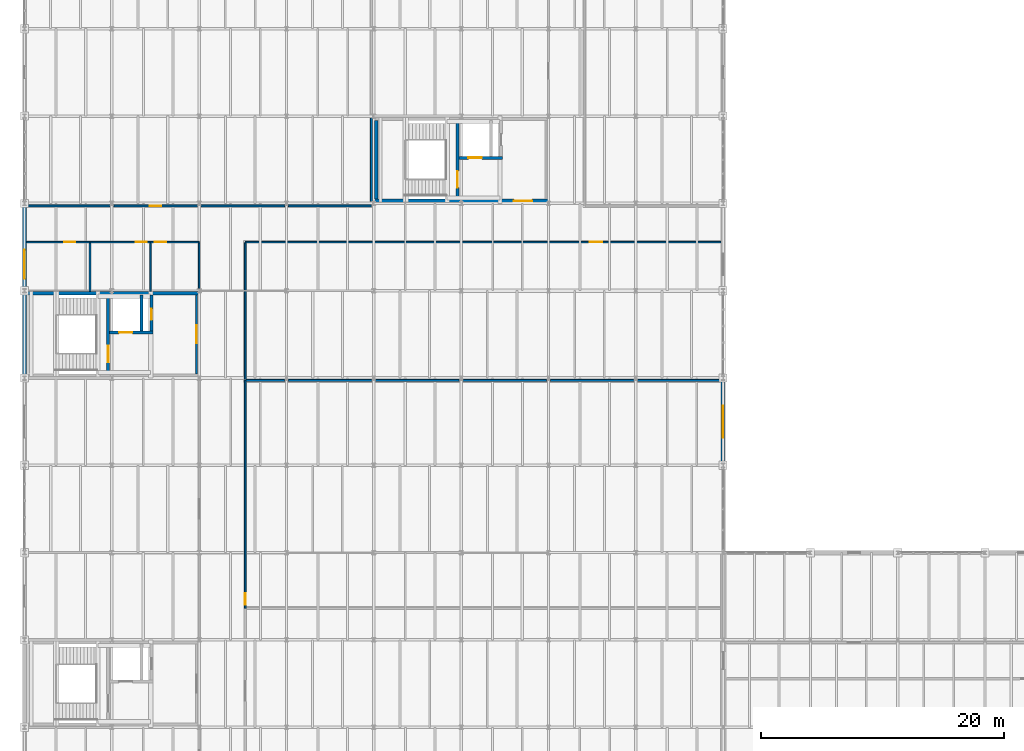
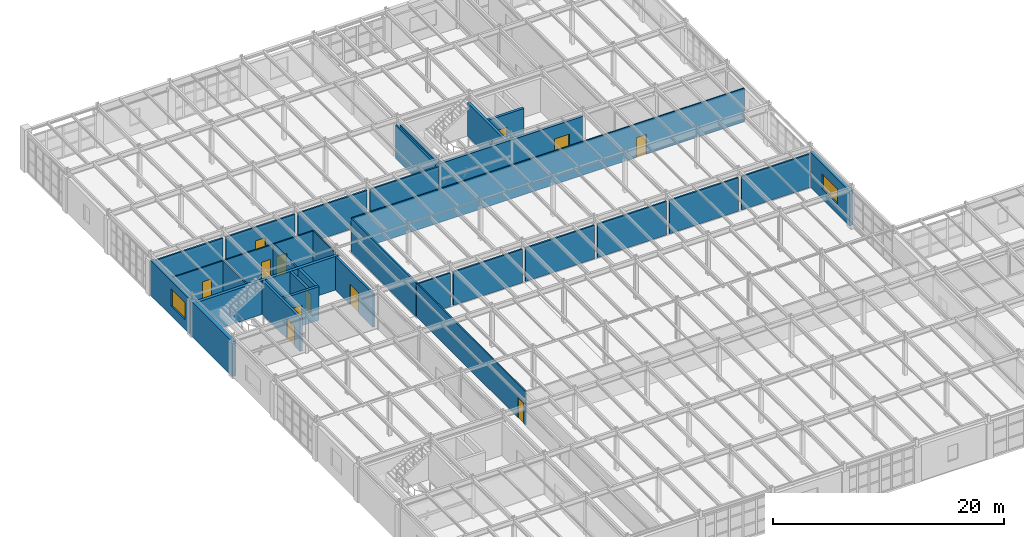
# One storey, part 123 of 137: 33 walls, 13 doors, 2 windows, 15 openings.
"""IFC4 building model written with IfcOpenShell, lengths in metres."""

from ifc_helpers import new_model, si_unit, direction, frame, frame_2d, origin, place, context, subcontext, project, spatial, rectangle, extrude, material, layer, layer_set, type_object, element, fill, save


model = new_model("IFC4")

# Units and contexts
model_context = context("Model", 3, precision=1e-05, world=origin(), true_north=direction((0.0, 1.0)))
body_context = subcontext(model_context, "Body", "Model", "MODEL_VIEW")
ifc_project = project(units=[si_unit("LENGTHUNIT", "METRE"), si_unit("AREAUNIT", "SQUARE_METRE"), si_unit("VOLUMEUNIT", "CUBIC_METRE"), si_unit("PLANEANGLEUNIT", "RADIAN"), si_unit("MASSUNIT", "GRAM", prefix="KILO")], contexts=[model_context])

# Site, building, storey
site_placement = place(None, origin())
site = spatial("IfcSite", under=ifc_project, at=site_placement, CompositionType="ELEMENT")
building_placement = place(site_placement, origin())
building = spatial("IfcBuilding", under=site, at=building_placement, Name="Kemerveld Promenade Tramway Depot", CompositionType="ELEMENT")
storey_placement = place(building_placement, frame((0.0, 0.0, 5.39990234375)))
storey = spatial("IfcBuildingStorey", under=building, at=storey_placement, Name="L01", CompositionType="ELEMENT", Elevation=5.39990234375)

# Wall, opening, door
ifc_material_1 = material(Name="Concrete C40/50", Category="concrete")
ifc_layer_1 = layer(ifc_material_1, 0.25)
ifc_layer_set_1 = layer_set([ifc_layer_1], Name="WL-CORE-250")
wall_type_1 = type_object("IfcWallType", Name="WL-CORE-250", PredefinedType="SHEAR", material=ifc_layer_set_1)
wall_1_placement = place(storey_placement, frame((6.89990234375, 43.550048828125, 0.0), z_axis=(0.0, 0.0, 1.0), x_axis=(0.0, 1.0, 0.0)))
wall_1 = element("IfcWall", 1, at=wall_1_placement, inside=storey, type_object=wall_type_1, Name="WL-C2-L01-SDIV", PredefinedType="SHEAR", context=body_context, shape_type="SweptSolid", body=[
    extrude(rectangle(XDim=6.5, YDim=0.25, at=frame_2d((3.25, 0.0))), origin(), (0.0, 0.0, 1.0), 3.550048828125),
])
opening_1_placement = place(wall_1_placement, frame((0.949951171875, 0.0, 0.0)))
opening_1 = element("IfcOpeningElement", 2, at=opening_1_placement, cuts=wall_1, Name="Opening D-525", PredefinedType="OPENING", context=body_context, shape_type="SweptSolid", body=[
    extrude(rectangle(XDim=1.35009765625, YDim=2.14990234375, at=frame_2d((0.675048828125, 1.074951171875))), frame((0.0, 0.135009765625, 0.0), z_axis=(0.0, -1.0, 0.0), x_axis=(1.0, 0.0, 0.0)), (0.0, 0.0, 1.0), 0.27001953125),
])
ifc_material_2 = material(Name="Galvanised steel fire stair door", Category="steel")
door_type_1 = type_object("IfcDoorType", Name="DR-FD120", OperationType="NOTDEFINED", PredefinedType="DOOR", material=ifc_material_2)
door_1_placement = place(opening_1_placement, origin())
door_1 = element("IfcDoor", 3, at=door_1_placement, inside=storey, type_object=door_type_1, Name="DR-C2-L01-STAIR", OperationType="SINGLE_SWING_RIGHT", OverallHeight=2.14990234375, OverallWidth=1.35009765625, PredefinedType="DOOR", context=body_context, shape_type="SweptSolid", body=[
    extrude(rectangle(XDim=1.35009765625, YDim=2.14990234375, at=frame_2d((0.675048828125, 1.074951171875))), frame((0.0, 0.02490234375, 0.0), z_axis=(0.0, -1.0, 0.0), x_axis=(1.0, 0.0, 0.0)), (0.0, 0.0, 1.0), 0.050048828125),
])
fill(opening_1, door_1)

wall_2_placement = place(storey_placement, frame((7.02490234375, 46.9599609375, 0.0), z_axis=(0.0, 0.0, 1.0), x_axis=(1.0, 0.0, 0.0)))
wall_2 = element("IfcWall", 4, at=wall_2_placement, inside=storey, type_object=wall_type_1, Name="WL-C2-L01-LSHS", PredefinedType="SHEAR", context=body_context, shape_type="SweptSolid", body=[
    extrude(rectangle(XDim=3.580078125, YDim=0.25, at=frame_2d((1.7900390625, 0.0))), origin(), (0.0, 0.0, 1.0), 3.550048828125),
])
opening_2_placement = place(wall_2_placement, frame((0.77490234375, 0.0, 0.0)))
opening_2 = element("IfcOpeningElement", 5, at=opening_2_placement, cuts=wall_2, Name="Opening LD-526", PredefinedType="OPENING", context=body_context, shape_type="SweptSolid", body=[
    extrude(rectangle(XDim=1.10009765625, YDim=2.14990234375, at=frame_2d((0.550048828125, 1.074951171875))), frame((0.0, 0.135009765625, 0.0), z_axis=(0.0, -1.0, 0.0), x_axis=(1.0, 0.0, 0.0)), (0.0, 0.0, 1.0), 0.27001953125),
])
ifc_material_3 = material(Name="Brushed stainless steel sliding lift landing door", Category="steel")
door_type_2 = type_object("IfcDoorType", Name="DR-LD01", OperationType="SLIDING_TO_LEFT", PredefinedType="DOOR", material=ifc_material_3)
door_2_placement = place(opening_2_placement, origin())
door_2 = element("IfcDoor", 6, at=door_2_placement, inside=storey, type_object=door_type_2, Name="DR-C2-L01-LIFT", OperationType="SLIDING_TO_LEFT", OverallHeight=2.14990234375, OverallWidth=1.10009765625, PredefinedType="DOOR", context=body_context, shape_type="SweptSolid", body=[
    extrude(rectangle(XDim=1.10009765625, YDim=2.14990234375, at=frame_2d((0.550048828125, 1.074951171875))), frame((0.0, 0.02490234375, 0.0), z_axis=(0.0, -1.0, 0.0), x_axis=(1.0, 0.0, 0.0)), (0.0, 0.0, 1.0), 0.050048828125),
])
fill(opening_2, door_2)

# Wall
wall_3_placement = place(storey_placement, frame((9.64990234375, 47.0849609375, 0.0), z_axis=(0.0, 0.0, 1.0), x_axis=(0.0, 1.0, 0.0)))
element("IfcWall", 7, at=wall_3_placement, inside=storey, type_object=wall_type_1, Name="WL-C2-L01-LSHM", PredefinedType="SHEAR", context=body_context, shape_type="SweptSolid", body=[
    extrude(rectangle(XDim=2.965087890625, YDim=0.25, at=frame_2d((1.482421875, 0.0))), origin(), (0.0, 0.0, 1.0), 3.550048828125),
])

# Wall, opening, door
wall_4_placement = place(storey_placement, frame((10.47998046875, 47.0849609375, 0.0), z_axis=(0.0, 0.0, 1.0), x_axis=(0.0, 1.0, 0.0)))
wall_4 = element("IfcWall", 8, at=wall_4_placement, inside=storey, type_object=wall_type_1, Name="WL-C2-L01-LSHE", PredefinedType="SHEAR", context=body_context, shape_type="SweptSolid", body=[
    extrude(rectangle(XDim=2.965087890625, YDim=0.25, at=frame_2d((1.482421875, 0.0))), origin(), (0.0, 0.0, 1.0), 3.550048828125),
])
opening_3_placement = place(wall_4_placement, frame((0.89990234375, 0.0, 0.0)))
opening_3 = element("IfcOpeningElement", 9, at=opening_3_placement, cuts=wall_4, Name="Opening D-527", PredefinedType="OPENING", context=body_context, shape_type="SweptSolid", body=[
    extrude(rectangle(XDim=0.919921875, YDim=2.050048828125, at=frame_2d((0.4599609375, 1.02490234375))), frame((0.0, 0.135009765625, 0.0), z_axis=(0.0, -1.0, 0.0), x_axis=(1.0, 0.0, 0.0)), (0.0, 0.0, 1.0), 0.27001953125),
])
ifc_material_4 = material(Name="Steel riser shaft access fire door", Category="steel")
door_type_3 = type_object("IfcDoorType", Name="DR-RSR01", OperationType="NOTDEFINED", PredefinedType="DOOR", material=ifc_material_4)
door_3_placement = place(opening_3_placement, origin())
door_3 = element("IfcDoor", 10, at=door_3_placement, inside=storey, type_object=door_type_3, Name="DR-C2-L01-RISER", OperationType="SINGLE_SWING_LEFT", OverallHeight=2.050048828125, OverallWidth=0.919921875, PredefinedType="DOOR", context=body_context, shape_type="SweptSolid", body=[
    extrude(rectangle(XDim=0.919921875, YDim=2.050048828125, at=frame_2d((0.4599609375, 1.02490234375))), frame((0.0, 0.02490234375, 0.0), z_axis=(0.0, -1.0, 0.0), x_axis=(1.0, 0.0, 0.0)), (0.0, 0.0, 1.0), 0.050048828125),
])
fill(opening_3, door_3)

wall_5_placement = place(storey_placement, frame((35.699951171875, 57.949951171875, 0.0), z_axis=(0.0, 0.0, 1.0), x_axis=(0.0, 1.0, 0.0)))
wall_5 = element("IfcWall", 11, at=wall_5_placement, inside=storey, type_object=wall_type_1, Name="WL-C3-L01-SDIV", PredefinedType="SHEAR", context=body_context, shape_type="SweptSolid", body=[
    extrude(rectangle(XDim=6.5, YDim=0.25, at=frame_2d((3.25, 0.0))), origin(), (0.0, 0.0, 1.0), 3.550048828125),
])
opening_4_placement = place(wall_5_placement, frame((0.949951171875, 0.0, 0.0)))
opening_4 = element("IfcOpeningElement", 12, at=opening_4_placement, cuts=wall_5, Name="Opening D-545", PredefinedType="OPENING", context=body_context, shape_type="SweptSolid", body=[
    extrude(rectangle(XDim=1.35009765625, YDim=2.14990234375, at=frame_2d((0.675048828125, 1.074951171875))), frame((0.0, 0.135009765625, 0.0), z_axis=(0.0, -1.0, 0.0), x_axis=(1.0, 0.0, 0.0)), (0.0, 0.0, 1.0), 0.27001953125),
])
door_4_placement = place(opening_4_placement, origin())
door_4 = element("IfcDoor", 13, at=door_4_placement, inside=storey, type_object=door_type_1, Name="DR-C3-L01-STAIR", OperationType="SINGLE_SWING_LEFT", OverallHeight=2.14990234375, OverallWidth=1.35009765625, PredefinedType="DOOR", context=body_context, shape_type="SweptSolid", body=[
    extrude(rectangle(XDim=1.35009765625, YDim=2.14990234375, at=frame_2d((0.675048828125, 1.074951171875))), frame((0.0, 0.02490234375, 0.0), z_axis=(0.0, -1.0, 0.0), x_axis=(1.0, 0.0, 0.0)), (0.0, 0.0, 1.0), 0.050048828125),
])
fill(opening_4, door_4)

wall_6_placement = place(storey_placement, frame((35.824951171875, 61.360107421875, 0.0), z_axis=(0.0, 0.0, 1.0), x_axis=(1.0, 0.0, 0.0)))
wall_6 = element("IfcWall", 14, at=wall_6_placement, inside=storey, type_object=wall_type_1, Name="WL-C3-L01-LSHS", PredefinedType="SHEAR", context=body_context, shape_type="SweptSolid", body=[
    extrude(rectangle(XDim=3.580078125, YDim=0.25, at=frame_2d((1.7900390625, 0.0))), origin(), (0.0, 0.0, 1.0), 3.550048828125),
])
opening_5_placement = place(wall_6_placement, frame((0.77490234375, 0.0, 0.0)))
opening_5 = element("IfcOpeningElement", 15, at=opening_5_placement, cuts=wall_6, Name="Opening LD-546", PredefinedType="OPENING", context=body_context, shape_type="SweptSolid", body=[
    extrude(rectangle(XDim=1.10009765625, YDim=2.14990234375, at=frame_2d((0.550048828125, 1.074951171875))), frame((0.0, 0.135009765625, 0.0), z_axis=(0.0, -1.0, 0.0), x_axis=(1.0, 0.0, 0.0)), (0.0, 0.0, 1.0), 0.27001953125),
])
door_5_placement = place(opening_5_placement, origin())
door_5 = element("IfcDoor", 16, at=door_5_placement, inside=storey, type_object=door_type_2, Name="DR-C3-L01-LIFT", OperationType="SLIDING_TO_LEFT", OverallHeight=2.14990234375, OverallWidth=1.10009765625, PredefinedType="DOOR", context=body_context, shape_type="SweptSolid", body=[
    extrude(rectangle(XDim=1.10009765625, YDim=2.14990234375, at=frame_2d((0.550048828125, 1.074951171875))), frame((0.0, 0.02490234375, 0.0), z_axis=(0.0, -1.0, 0.0), x_axis=(1.0, 0.0, 0.0)), (0.0, 0.0, 1.0), 0.050048828125),
])
fill(opening_5, door_5)

# Wall
ifc_layer_2 = layer(ifc_material_1, 0.300048828125)
ifc_layer_set_2 = layer_set([ifc_layer_2], Name="WL-CORE-300")
wall_type_2 = type_object("IfcWallType", Name="WL-CORE-300", PredefinedType="SHEAR", material=ifc_layer_set_2)
wall_7_placement = place(storey_placement, frame((0.169921875, 50.199951171875, 0.0), z_axis=(0.0, 0.0, 1.0), x_axis=(1.0, 0.0, 0.0)))
element("IfcWall", 17, at=wall_7_placement, inside=storey, type_object=wall_type_2, Name="WL-C2-L01-N", PredefinedType="SHEAR", context=body_context, shape_type="SweptSolid", body=[
    extrude(rectangle(XDim=14.22998046875, YDim=0.300048828125, at=frame_2d((7.114990234375, 0.0))), origin(), (0.0, 0.0, 1.0), 3.550048828125),
])

# Wall, opening, door
wall_8_placement = place(storey_placement, frame((28.85009765625, 57.800048828125, 0.0), z_axis=(0.0, 0.0, 1.0), x_axis=(1.0, 0.0, 0.0)))
wall_8 = element("IfcWall", 18, at=wall_8_placement, inside=storey, type_object=wall_type_2, Name="WL-C3-L01-S", PredefinedType="SHEAR", context=body_context, shape_type="SweptSolid", body=[
    extrude(rectangle(XDim=14.349853515625, YDim=0.300048828125, at=frame_2d((7.1748046875, 0.0))), origin(), (0.0, 0.0, 1.0), 3.550048828125),
])
opening_6_placement = place(wall_8_placement, frame((11.5, 0.0, 0.0)))
opening_6 = element("IfcOpeningElement", 19, at=opening_6_placement, cuts=wall_8, Name="Opening D-548", PredefinedType="OPENING", context=body_context, shape_type="SweptSolid", body=[
    extrude(rectangle(XDim=1.5, YDim=2.14990234375, at=frame_2d((0.75, 1.074951171875))), frame((0.0, 0.159912109375, 0.0), z_axis=(0.0, -1.0, 0.0), x_axis=(1.0, 0.0, 0.0)), (0.0, 0.0, 1.0), 0.320068359375),
])
ifc_material_5 = material(Name="Timber-faced acoustic fire lobby door", Category="wood")
door_type_4 = type_object("IfcDoorType", Name="DR-FD60A", OperationType="NOTDEFINED", PredefinedType="DOOR", material=ifc_material_5)
door_6_placement = place(opening_6_placement, origin())
door_6 = element("IfcDoor", 20, at=door_6_placement, inside=storey, type_object=door_type_4, Name="DR-C3-L01-LOBBY", OperationType="SINGLE_SWING_LEFT", OverallHeight=2.14990234375, OverallWidth=1.5, PredefinedType="DOOR", context=body_context, shape_type="SweptSolid", body=[
    extrude(rectangle(XDim=1.5, YDim=2.14990234375, at=frame_2d((0.75, 1.074951171875))), frame((0.0, 0.02490234375, 0.0), z_axis=(0.0, -1.0, 0.0), x_axis=(1.0, 0.0, 0.0)), (0.0, 0.0, 1.0), 0.050048828125),
])
fill(opening_6, door_6)

# Wall
wall_9_placement = place(storey_placement, frame((29.0, 57.949951171875, 0.0), z_axis=(0.0, 0.0, 1.0), x_axis=(0.0, 1.0, 0.0)))
element("IfcWall", 21, at=wall_9_placement, inside=storey, type_object=wall_type_2, Name="WL-C3-L01-W", PredefinedType="SHEAR", context=body_context, shape_type="SweptSolid", body=[
    extrude(rectangle(XDim=6.5, YDim=0.300048828125, at=frame_2d((3.25, 0.0))), origin(), (0.0, 0.0, 1.0), 3.550048828125),
])

# Wall, opening, window
ifc_material_6 = material(Name="Banded granite and red-ochre clay brick masonry", Category="masonry")
ifc_layer_3 = layer(ifc_material_6, 0.35009765625)
ifc_layer_set_3 = layer_set([ifc_layer_3], Name="WL-EXT-350")
wall_type_3 = type_object("IfcWallType", Name="WL-EXT-350", PredefinedType="SOLIDWALL", material=ifc_layer_set_3)
wall_10_placement = place(storey_placement, frame((0.0, 50.58349609375, 0.0), z_axis=(0.0, 0.0, 1.0), x_axis=(0.0, 1.0, 0.0)))
wall_10 = element("IfcWall", 22, at=wall_10_placement, inside=storey, type_object=wall_type_3, Name="WL-L01-V5W-08", PredefinedType="SOLIDWALL", context=body_context, shape_type="SweptSolid", body=[
    extrude(rectangle(XDim=6.8330078125, YDim=0.35009765625, at=frame_2d((3.41650390625, 0.0))), origin(), (0.0, 0.0, 1.0), 3.70361328125),
])
opening_7_placement = place(wall_10_placement, frame((0.782958984375, 0.0, 1.050048828125)))
opening_7 = element("IfcOpeningElement", 23, at=opening_7_placement, cuts=wall_10, Name="Opening W-144", PredefinedType="OPENING", context=body_context, shape_type="SweptSolid", body=[
    extrude(rectangle(XDim=2.39990234375, YDim=1.800048828125, at=frame_2d((1.199951171875, 0.89990234375))), frame((0.0, 0.18505859375, 0.0), z_axis=(0.0, -1.0, 0.0), x_axis=(1.0, 0.0, 0.0)), (0.0, 0.0, 1.0), 0.3701171875),
])
ifc_material_7 = material(Name="Bronze anodised aluminium and low-e glass", Category="aluminium")
window_type_1 = type_object("IfcWindowType", Name="WN-10", PartitioningType="SINGLE_PANEL", PredefinedType="WINDOW", material=ifc_material_7)
window_1_placement = place(opening_7_placement, origin())
window_1 = element("IfcWindow", 24, at=window_1_placement, inside=storey, type_object=window_type_1, Name="WN-L01-V5W-08", OverallHeight=1.800048828125, OverallWidth=2.39990234375, PartitioningType="SINGLE_PANEL", PredefinedType="WINDOW", context=body_context, shape_type="SweptSolid", body=[
    extrude(rectangle(XDim=2.39990234375, YDim=1.800048828125, at=frame_2d((1.199951171875, 0.89990234375))), frame((0.0, 0.030029296875, 0.0), z_axis=(0.0, -1.0, 0.0), x_axis=(1.0, 0.0, 0.0)), (0.0, 0.0, 1.0), 0.06005859375),
])
fill(opening_7, window_1)

wall_11_placement = place(storey_placement, frame((57.60009765625, 43.0166015625, 0.0), z_axis=(0.0, 0.0, 1.0), x_axis=(0.0, -1.0, 0.0)))
wall_11 = element("IfcWall", 25, at=wall_11_placement, inside=storey, type_object=wall_type_3, Name="WL-L01-V5E-06", PredefinedType="SOLIDWALL", context=body_context, shape_type="SweptSolid", body=[
    extrude(rectangle(XDim=6.8330078125, YDim=0.35009765625, at=frame_2d((3.41650390625, 0.0))), origin(), (0.0, 0.0, 1.0), 3.70361328125),
])
opening_8_placement = place(wall_11_placement, frame((2.091064453125, 0.0, 1.050048828125)))
opening_8 = element("IfcOpeningElement", 26, at=opening_8_placement, cuts=wall_11, Name="Opening W-152", PredefinedType="OPENING", context=body_context, shape_type="SweptSolid", body=[
    extrude(rectangle(XDim=2.64990234375, YDim=1.60009765625, at=frame_2d((1.324951171875, 0.800048828125))), frame((0.0, 0.18505859375, 0.0), z_axis=(0.0, -1.0, 0.0), x_axis=(1.0, 0.0, 0.0)), (0.0, 0.0, 1.0), 0.3701171875),
])
window_type_2 = type_object("IfcWindowType", Name="WN-40", PartitioningType="SINGLE_PANEL", PredefinedType="WINDOW", material=ifc_material_7)
window_2_placement = place(opening_8_placement, origin())
window_2 = element("IfcWindow", 27, at=window_2_placement, inside=storey, type_object=window_type_2, Name="WN-L01-V5E-06", OverallHeight=1.60009765625, OverallWidth=2.64990234375, PartitioningType="SINGLE_PANEL", PredefinedType="WINDOW", context=body_context, shape_type="SweptSolid", body=[
    extrude(rectangle(XDim=2.64990234375, YDim=1.60009765625, at=frame_2d((1.324951171875, 0.800048828125))), frame((0.0, 0.030029296875, 0.0), z_axis=(0.0, -1.0, 0.0), x_axis=(1.0, 0.0, 0.0)), (0.0, 0.0, 1.0), 0.06005859375),
])
fill(opening_8, window_2)

# Wall
ifc_layer_4 = layer(ifc_material_1, 0.360107421875)
ifc_layer_set_4 = layer_set([ifc_layer_4], Name="WL-EXT-CORE")
wall_type_4 = type_object("IfcWallType", Name="WL-EXT-CORE", PredefinedType="SHEAR", material=ifc_layer_set_4)
wall_12_placement = place(storey_placement, frame((0.0, 43.199951171875, 0.0), z_axis=(0.0, 0.0, 1.0), x_axis=(0.0, 1.0, 0.0)))
element("IfcWall", 28, at=wall_12_placement, inside=storey, type_object=wall_type_4, Name="WL-L01-V5W-07", PredefinedType="SHEAR", context=body_context, shape_type="SweptSolid", body=[
    extrude(rectangle(XDim=7.199951171875, YDim=0.360107421875, at=frame_2d((3.60009765625, 0.0))), origin(), (0.0, 0.0, 1.0), 3.70361328125),
])

# Wall, opening, door
ifc_material_8 = material(Name="Concrete blockwork C35/45", Category="masonry")
ifc_layer_5 = layer(ifc_material_8, 0.199951171875)
ifc_layer_set_5 = layer_set([ifc_layer_5], Name="WL-LOB-200")
wall_type_5 = type_object("IfcWallType", Name="WL-LOB-200", PredefinedType="SOLIDWALL", material=ifc_layer_set_5)
wall_13_placement = place(storey_placement, frame((14.179931640625, 43.550048828125, 0.0), z_axis=(0.0, 0.0, 1.0), x_axis=(0.0, 1.0, 0.0)))
wall_13 = element("IfcWall", 29, at=wall_13_placement, inside=storey, type_object=wall_type_5, Name="WL-C2-L01-LOB", PredefinedType="SOLIDWALL", context=body_context, shape_type="SweptSolid", body=[
    extrude(rectangle(XDim=6.5, YDim=0.199951171875, at=frame_2d((3.25, 0.0))), origin(), (0.0, 0.0, 1.0), 3.550048828125),
])
opening_9_placement = place(wall_13_placement, frame((2.5, 0.0, 0.0)))
opening_9 = element("IfcOpeningElement", 30, at=opening_9_placement, cuts=wall_13, Name="Opening D-528", PredefinedType="OPENING", context=body_context, shape_type="SweptSolid", body=[
    extrude(rectangle(XDim=1.5, YDim=2.14990234375, at=frame_2d((0.75, 1.074951171875))), frame((0.0, 0.10986328125, 0.0), z_axis=(0.0, -1.0, 0.0), x_axis=(1.0, 0.0, 0.0)), (0.0, 0.0, 1.0), 0.219970703125),
])
door_7_placement = place(opening_9_placement, origin())
door_7 = element("IfcDoor", 31, at=door_7_placement, inside=storey, type_object=door_type_4, Name="DR-C2-L01-LOBBY", OperationType="SINGLE_SWING_RIGHT", OverallHeight=2.14990234375, OverallWidth=1.5, PredefinedType="DOOR", context=body_context, shape_type="SweptSolid", body=[
    extrude(rectangle(XDim=1.5, YDim=2.14990234375, at=frame_2d((0.75, 1.074951171875))), frame((0.0, 0.02490234375, 0.0), z_axis=(0.0, -1.0, 0.0), x_axis=(1.0, 0.0, 0.0)), (0.0, 0.0, 1.0), 0.050048828125),
])
fill(opening_9, door_7)

ifc_material_9 = material(Name="Standard acoustic office partition")
ifc_layer_6 = layer(ifc_material_9, 0.114990234375)
ifc_layer_set_6 = layer_set([ifc_layer_6], Name="WL-PRT-115")
wall_type_6 = type_object("IfcWallType", Name="WL-PRT-115", PredefinedType="PARTITIONING", material=ifc_layer_set_6)
wall_14_placement = place(storey_placement, frame((18.199951171875, 54.39990234375, 0.0), z_axis=(0.0, 0.0, 1.0), x_axis=(1.0, 0.0, 0.0)))
wall_14 = element("IfcWall", 32, at=wall_14_placement, inside=storey, type_object=wall_type_6, Name="WL-PRT-RM-L01-V5-SCHED", PredefinedType="PARTITIONING", context=body_context, shape_type="SweptSolid", body=[
    extrude(rectangle(XDim=39.22509765625, YDim=0.114990234375, at=frame_2d((19.612548828125, 0.0))), origin(), (0.0, 0.0, 1.0), 3.550048828125),
])
opening_10_placement = place(wall_14_placement, frame((28.4150390625, 0.0, 0.0)))
opening_10 = element("IfcOpeningElement", 33, at=opening_10_placement, cuts=wall_14, Name="Opening D-647", PredefinedType="OPENING", context=body_context, shape_type="SweptSolid", body=[
    extrude(rectangle(XDim=1.0, YDim=2.10009765625, at=frame_2d((0.5, 1.050048828125))), frame((0.0, 0.0673828125, 0.0), z_axis=(0.0, -1.0, 0.0), x_axis=(1.0, 0.0, 0.0)), (0.0, 0.0, 1.0), 0.135009765625),
])
ifc_material_10 = material(Name="Hardwood staff welfare door", Category="wood")
door_type_5 = type_object("IfcDoorType", Name="DR-INT02", OperationType="NOTDEFINED", PredefinedType="DOOR", material=ifc_material_10)
door_8_placement = place(opening_10_placement, origin())
door_8 = element("IfcDoor", 34, at=door_8_placement, inside=storey, type_object=door_type_5, Name="DR-RM-RM-L01-V5-SCHED", OperationType="SINGLE_SWING_RIGHT", OverallHeight=2.10009765625, OverallWidth=1.0, PredefinedType="DOOR", context=body_context, shape_type="SweptSolid", body=[
    extrude(rectangle(XDim=1.0, YDim=2.10009765625, at=frame_2d((0.5, 1.050048828125))), frame((0.0, 0.02490234375, 0.0), z_axis=(0.0, -1.0, 0.0), x_axis=(1.0, 0.0, 0.0)), (0.0, 0.0, 1.0), 0.050048828125),
])
fill(opening_10, door_8)

ifc_material_11 = material(Name="Moisture-resistant masonry partition", Category="masonry")
ifc_layer_7 = layer(ifc_material_11, 0.1298828125)
ifc_layer_set_7 = layer_set([ifc_layer_7], Name="WL-PRT-130")
wall_type_7 = type_object("IfcWallType", Name="WL-PRT-130", PredefinedType="PARTITIONING", material=ifc_layer_set_7)
wall_15_placement = place(storey_placement, frame((18.199951171875, 24.199951171875, 0.0), z_axis=(0.0, 0.0, 1.0), x_axis=(0.0, 1.0, 0.0)))
wall_15 = element("IfcWall", 35, at=wall_15_placement, inside=storey, type_object=wall_type_7, Name="WL-PRT-RM-L01-V5-WELF", PredefinedType="PARTITIONING", context=body_context, shape_type="SweptSolid", body=[
    extrude(rectangle(XDim=18.800048828125, YDim=0.1298828125, at=frame_2d((9.39990234375, 0.0))), origin(), (0.0, 0.0, 1.0), 3.550048828125),
])
opening_11_placement = place(wall_15_placement, frame((0.320068359375, 0.0, 0.0)))
opening_11 = element("IfcOpeningElement", 36, at=opening_11_placement, cuts=wall_15, Name="Opening D-646", PredefinedType="OPENING", context=body_context, shape_type="SweptSolid", body=[
    extrude(rectangle(XDim=0.949951171875, YDim=2.10009765625, at=frame_2d((0.47509765625, 1.050048828125))), frame((0.0, 0.074951171875, 0.0), z_axis=(0.0, -1.0, 0.0), x_axis=(1.0, 0.0, 0.0)), (0.0, 0.0, 1.0), 0.14990234375),
])
ifc_material_12 = material(Name="Hardwood acoustic office door", Category="wood")
door_type_6 = type_object("IfcDoorType", Name="DR-INT01", OperationType="NOTDEFINED", PredefinedType="DOOR", material=ifc_material_12)
door_9_placement = place(opening_11_placement, origin())
door_9 = element("IfcDoor", 37, at=door_9_placement, inside=storey, type_object=door_type_6, Name="DR-RM-RM-L01-V5-WELF", OperationType="SINGLE_SWING_LEFT", OverallHeight=2.10009765625, OverallWidth=0.949951171875, PredefinedType="DOOR", context=body_context, shape_type="SweptSolid", body=[
    extrude(rectangle(XDim=0.949951171875, YDim=2.10009765625, at=frame_2d((0.47509765625, 1.050048828125))), frame((0.0, 0.02490234375, 0.0), z_axis=(0.0, -1.0, 0.0), x_axis=(1.0, 0.0, 0.0)), (0.0, 0.0, 1.0), 0.050048828125),
])
fill(opening_11, door_9)

wall_16_placement = place(storey_placement, frame((0.175048828125, 54.39990234375, 0.0), z_axis=(0.0, 0.0, 1.0), x_axis=(1.0, 0.0, 0.0)))
wall_16 = element("IfcWall", 38, at=wall_16_placement, inside=storey, type_object=wall_type_7, Name="WL-PRT-RM-L01-V5-WCM", PredefinedType="PARTITIONING", context=body_context, shape_type="SweptSolid", body=[
    extrude(rectangle(XDim=5.224853515625, YDim=0.1298828125, at=frame_2d((2.6123046875, 0.0))), origin(), (0.0, 0.0, 1.0), 3.550048828125),
])
opening_12_placement = place(wall_16_placement, frame((3.114990234375, 0.0, 0.0)))
opening_12 = element("IfcOpeningElement", 39, at=opening_12_placement, cuts=wall_16, Name="Opening D-648", PredefinedType="OPENING", context=body_context, shape_type="SweptSolid", body=[
    extrude(rectangle(XDim=0.89990234375, YDim=2.050048828125, at=frame_2d((0.449951171875, 1.02490234375))), frame((0.0, 0.074951171875, 0.0), z_axis=(0.0, -1.0, 0.0), x_axis=(1.0, 0.0, 0.0)), (0.0, 0.0, 1.0), 0.14990234375),
])
ifc_material_13 = material(Name="Moisture-resistant laminate WC door")
door_type_7 = type_object("IfcDoorType", Name="DR-WC01", OperationType="NOTDEFINED", PredefinedType="DOOR", material=ifc_material_13)
door_10_placement = place(opening_12_placement, origin())
door_10 = element("IfcDoor", 40, at=door_10_placement, inside=storey, type_object=door_type_7, Name="DR-RM-RM-L01-V5-WCM", OperationType="SINGLE_SWING_LEFT", OverallHeight=2.050048828125, OverallWidth=0.89990234375, PredefinedType="DOOR", context=body_context, shape_type="SweptSolid", body=[
    extrude(rectangle(XDim=0.89990234375, YDim=2.050048828125, at=frame_2d((0.449951171875, 1.02490234375))), frame((0.0, 0.02490234375, 0.0), z_axis=(0.0, -1.0, 0.0), x_axis=(1.0, 0.0, 0.0)), (0.0, 0.0, 1.0), 0.050048828125),
])
fill(opening_12, door_10)

wall_17_placement = place(storey_placement, frame((5.39990234375, 54.39990234375, 0.0), z_axis=(0.0, 0.0, 1.0), x_axis=(1.0, 0.0, 0.0)))
wall_17 = element("IfcWall", 41, at=wall_17_placement, inside=storey, type_object=wall_type_7, Name="WL-PRT-RM-L01-V5-WCF", PredefinedType="PARTITIONING", context=body_context, shape_type="SweptSolid", body=[
    extrude(rectangle(XDim=5.0, YDim=0.1298828125, at=frame_2d((2.5, 0.0))), origin(), (0.0, 0.0, 1.0), 3.550048828125),
])
opening_13_placement = place(wall_17_placement, frame((3.780029296875, 0.0, 0.0)))
opening_13 = element("IfcOpeningElement", 42, at=opening_13_placement, cuts=wall_17, Name="Opening D-649", PredefinedType="OPENING", context=body_context, shape_type="SweptSolid", body=[
    extrude(rectangle(XDim=0.89990234375, YDim=2.050048828125, at=frame_2d((0.449951171875, 1.02490234375))), frame((0.0, 0.074951171875, 0.0), z_axis=(0.0, -1.0, 0.0), x_axis=(1.0, 0.0, 0.0)), (0.0, 0.0, 1.0), 0.14990234375),
])
door_11_placement = place(opening_13_placement, origin())
door_11 = element("IfcDoor", 43, at=door_11_placement, inside=storey, type_object=door_type_7, Name="DR-RM-RM-L01-V5-WCF", OperationType="SINGLE_SWING_RIGHT", OverallHeight=2.050048828125, OverallWidth=0.89990234375, PredefinedType="DOOR", context=body_context, shape_type="SweptSolid", body=[
    extrude(rectangle(XDim=0.89990234375, YDim=2.050048828125, at=frame_2d((0.449951171875, 1.02490234375))), frame((0.0, 0.02490234375, 0.0), z_axis=(0.0, -1.0, 0.0), x_axis=(1.0, 0.0, 0.0)), (0.0, 0.0, 1.0), 0.050048828125),
])
fill(opening_13, door_11)

wall_18_placement = place(storey_placement, frame((10.39990234375, 54.39990234375, 0.0), z_axis=(0.0, 0.0, 1.0), x_axis=(1.0, 0.0, 0.0)))
wall_18 = element("IfcWall", 44, at=wall_18_placement, inside=storey, type_object=wall_type_7, Name="WL-PRT-RM-L01-V5-WCA", PredefinedType="PARTITIONING", context=body_context, shape_type="SweptSolid", body=[
    extrude(rectangle(XDim=4.0, YDim=0.1298828125, at=frame_2d((2.0, 0.0))), origin(), (0.0, 0.0, 1.0), 3.550048828125),
])
opening_14_placement = place(wall_18_placement, frame((0.320068359375, 0.0, 0.0)))
opening_14 = element("IfcOpeningElement", 45, at=opening_14_placement, cuts=wall_18, Name="Opening D-650", PredefinedType="OPENING", context=body_context, shape_type="SweptSolid", body=[
    extrude(rectangle(XDim=0.97998046875, YDim=2.10009765625, at=frame_2d((0.489990234375, 1.050048828125))), frame((0.0, 0.074951171875, 0.0), z_axis=(0.0, -1.0, 0.0), x_axis=(1.0, 0.0, 0.0)), (0.0, 0.0, 1.0), 0.14990234375),
])
ifc_material_14 = material(Name="Accessible WC outward-opening door")
door_type_8 = type_object("IfcDoorType", Name="DR-WCA1", OperationType="NOTDEFINED", PredefinedType="DOOR", material=ifc_material_14)
door_12_placement = place(opening_14_placement, origin())
door_12 = element("IfcDoor", 46, at=door_12_placement, inside=storey, type_object=door_type_8, Name="DR-RM-RM-L01-V5-WCA", OperationType="SINGLE_SWING_LEFT", OverallHeight=2.10009765625, OverallWidth=0.97998046875, PredefinedType="DOOR", context=body_context, shape_type="SweptSolid", body=[
    extrude(rectangle(XDim=0.97998046875, YDim=2.10009765625, at=frame_2d((0.489990234375, 1.050048828125))), frame((0.0, 0.02490234375, 0.0), z_axis=(0.0, -1.0, 0.0), x_axis=(1.0, 0.0, 0.0)), (0.0, 0.0, 1.0), 0.050048828125),
])
fill(opening_14, door_12)

# Walls
for number, where, z_axis, x_axis, name in (
    (47, (5.39990234375, 50.35009765625, 0.0), (0.0, 0.0, 1.0), (0.0, 1.0, 0.0), "WL-DIV-L01-036"),
    (48, (10.39990234375, 50.35009765625, 0.0), (0.0, 0.0, 1.0), (0.0, 1.0, 0.0), "WL-DIV-L01-037"),
):
    element("IfcWall", number, at=place(storey_placement, frame(where, z_axis=z_axis, x_axis=x_axis)), inside=storey, type_object=wall_type_7, Name=name, PredefinedType="PARTITIONING", context=body_context, shape_type="SweptSolid", body=[
        extrude(rectangle(XDim=3.98486328125, YDim=0.1298828125, at=frame_2d((1.992431640625, 0.0))), origin(), (0.0, 0.0, 1.0), 3.550048828125),
    ])
wall_19_placement = place(storey_placement, frame((14.39990234375, 50.56591796875, 0.0), z_axis=(0.0, 0.0, 1.0), x_axis=(0.0, 1.0, 0.0)))
element("IfcWall", 49, at=wall_19_placement, inside=storey, type_object=wall_type_7, Name="WL-DIV-L01-038", PredefinedType="PARTITIONING", context=body_context, shape_type="SweptSolid", body=[
    extrude(rectangle(XDim=3.76904296875, YDim=0.1298828125, at=frame_2d((1.884521484375, 0.0))), origin(), (0.0, 0.0, 1.0), 3.550048828125),
])
ifc_material_15 = material(Name="Acoustic twin-stud gypsum partition")
ifc_layer_8 = layer(ifc_material_15, 0.159912109375)
ifc_layer_set_8 = layer_set([ifc_layer_8], Name="WL-PRT-160")
wall_type_8 = type_object("IfcWallType", Name="WL-PRT-160", PredefinedType="PARTITIONING", material=ifc_layer_set_8)
wall_20_placement = place(storey_placement, frame((0.175048828125, 57.39990234375, 0.0), z_axis=(0.0, 0.0, 1.0), x_axis=(1.0, 0.0, 0.0)))
element("IfcWall", 50, at=wall_20_placement, inside=storey, type_object=wall_type_8, Name="WL-PRT-RM-L01-V5-ADMIN-S1", PredefinedType="PARTITIONING", context=body_context, shape_type="SweptSolid", body=[
    extrude(rectangle(XDim=6.866943359375, YDim=0.159912109375, at=frame_2d((3.43359375, 0.0))), origin(), (0.0, 0.0, 1.0), 3.550048828125),
])

# Wall, opening, door
wall_21_placement = place(storey_placement, frame((7.35791015625, 57.39990234375, 0.0), z_axis=(0.0, 0.0, 1.0), x_axis=(1.0, 0.0, 0.0)))
wall_21 = element("IfcWall", 51, at=wall_21_placement, inside=storey, type_object=wall_type_8, Name="WL-PRT-RM-L01-V5-ADMIN", PredefinedType="PARTITIONING", context=body_context, shape_type="SweptSolid", body=[
    extrude(rectangle(XDim=6.884033203125, YDim=0.159912109375, at=frame_2d((3.44189453125, 0.0))), origin(), (0.0, 0.0, 1.0), 3.550048828125),
])
opening_15_placement = place(wall_21_placement, frame((2.95703125, 0.0, 0.0)))
opening_15 = element("IfcOpeningElement", 52, at=opening_15_placement, cuts=wall_21, Name="Opening D-651", PredefinedType="OPENING", context=body_context, shape_type="SweptSolid", body=[
    extrude(rectangle(XDim=0.969970703125, YDim=2.1201171875, at=frame_2d((0.48486328125, 1.06005859375))), frame((0.0, 0.08984375, 0.0), z_axis=(0.0, -1.0, 0.0), x_axis=(1.0, 0.0, 0.0)), (0.0, 0.0, 1.0), 0.179931640625),
])
ifc_material_16 = material(Name="Hardwood studio door", Category="wood")
door_type_9 = type_object("IfcDoorType", Name="DR-INT09", OperationType="NOTDEFINED", PredefinedType="DOOR", material=ifc_material_16)
door_13_placement = place(opening_15_placement, origin())
door_13 = element("IfcDoor", 53, at=door_13_placement, inside=storey, type_object=door_type_9, Name="DR-RM-RM-L01-V5-ADMIN", OperationType="SINGLE_SWING_RIGHT", OverallHeight=2.1201171875, OverallWidth=0.969970703125, PredefinedType="DOOR", context=body_context, shape_type="SweptSolid", body=[
    extrude(rectangle(XDim=0.969970703125, YDim=2.1201171875, at=frame_2d((0.48486328125, 1.06005859375))), frame((0.0, 0.02490234375, 0.0), z_axis=(0.0, -1.0, 0.0), x_axis=(1.0, 0.0, 0.0)), (0.0, 0.0, 1.0), 0.050048828125),
])
fill(opening_15, door_13)

# Walls
wall_22_placement = place(storey_placement, frame((14.55810546875, 57.39990234375, 0.0), z_axis=(0.0, 0.0, 1.0), x_axis=(1.0, 0.0, 0.0)))
element("IfcWall", 54, at=wall_22_placement, inside=storey, type_object=wall_type_8, Name="WL-PRT-RM-L01-V5-ADMIN-S3", PredefinedType="PARTITIONING", context=body_context, shape_type="SweptSolid", body=[
    extrude(rectangle(XDim=6.8837890625, YDim=0.159912109375, at=frame_2d((3.44189453125, 0.0))), origin(), (0.0, 0.0, 1.0), 3.550048828125),
])
wall_23_placement = place(storey_placement, frame((21.758056640625, 57.39990234375, 0.0), z_axis=(0.0, 0.0, 1.0), x_axis=(1.0, 0.0, 0.0)))
element("IfcWall", 55, at=wall_23_placement, inside=storey, type_object=wall_type_8, Name="WL-PRT-RM-L01-V5-ADMIN-S4", PredefinedType="PARTITIONING", context=body_context, shape_type="SweptSolid", body=[
    extrude(rectangle(XDim=6.842041015625, YDim=0.159912109375, at=frame_2d((3.4208984375, 0.0))), origin(), (0.0, 0.0, 1.0), 3.550048828125),
])
wall_24_placement = place(storey_placement, frame((18.264892578125, 43.0, 0.0), z_axis=(0.0, 0.0, 1.0), x_axis=(1.0, 0.0, 0.0)))
element("IfcWall", 56, at=wall_24_placement, inside=storey, type_object=wall_type_8, Name="WL-DIV-L01-029", PredefinedType="PARTITIONING", context=body_context, shape_type="SweptSolid", body=[
    extrude(rectangle(XDim=3.177001953125, YDim=0.159912109375, at=frame_2d((1.58837890625, 0.0))), origin(), (0.0, 0.0, 1.0), 3.550048828125),
])
for number, where, z_axis, x_axis, name in (
    (57, (21.758056640625, 43.0, 0.0), (0.0, 0.0, 1.0), (1.0, 0.0, 0.0), "WL-DIV-L01-030"),
    (58, (28.9580078125, 43.0, 0.0), (0.0, 0.0, 1.0), (1.0, 0.0, 0.0), "WL-DIV-L01-031"),
    (59, (36.157958984375, 43.0, 0.0), (0.0, 0.0, 1.0), (1.0, 0.0, 0.0), "WL-DIV-L01-032"),
    (60, (43.35791015625, 43.0, 0.0), (0.0, 0.0, 1.0), (1.0, 0.0, 0.0), "WL-DIV-L01-033"),
):
    element("IfcWall", number, at=place(storey_placement, frame(where, z_axis=z_axis, x_axis=x_axis)), inside=storey, type_object=wall_type_8, Name=name, PredefinedType="PARTITIONING", context=body_context, shape_type="SweptSolid", body=[
        extrude(rectangle(XDim=6.884033203125, YDim=0.159912109375, at=frame_2d((3.44189453125, 0.0))), origin(), (0.0, 0.0, 1.0), 3.550048828125),
    ])
wall_25_placement = place(storey_placement, frame((50.55810546875, 43.0, 0.0), z_axis=(0.0, 0.0, 1.0), x_axis=(1.0, 0.0, 0.0)))
element("IfcWall", 61, at=wall_25_placement, inside=storey, type_object=wall_type_8, Name="WL-DIV-L01-034", PredefinedType="PARTITIONING", context=body_context, shape_type="SweptSolid", body=[
    extrude(rectangle(XDim=6.866943359375, YDim=0.159912109375, at=frame_2d((3.43359375, 0.0))), origin(), (0.0, 0.0, 1.0), 3.550048828125),
])
wall_26_placement = place(storey_placement, frame((18.199951171875, 43.080078125, 0.0), z_axis=(0.0, 0.0, 1.0), x_axis=(0.0, 1.0, 0.0)))
element("IfcWall", 62, at=wall_26_placement, inside=storey, type_object=wall_type_8, Name="WL-DIV-L01-035", PredefinedType="PARTITIONING", context=body_context, shape_type="SweptSolid", body=[
    extrude(rectangle(XDim=11.262939453125, YDim=0.159912109375, at=frame_2d((5.63134765625, 0.0))), origin(), (0.0, 0.0, 1.0), 3.550048828125),
])
wall_27_placement = place(storey_placement, frame((28.60009765625, 57.76611328125, 0.0), z_axis=(0.0, 0.0, 1.0), x_axis=(0.0, 1.0, 0.0)))
element("IfcWall", 63, at=wall_27_placement, inside=storey, type_object=wall_type_8, Name="WL-DIV-L01-039", PredefinedType="PARTITIONING", context=body_context, shape_type="SweptSolid", body=[
    extrude(rectangle(XDim=6.867919921875, YDim=0.159912109375, at=frame_2d((3.43408203125, 0.0))), origin(), (0.0, 0.0, 1.0), 3.550048828125),
])

save(model, "model.ifc")
